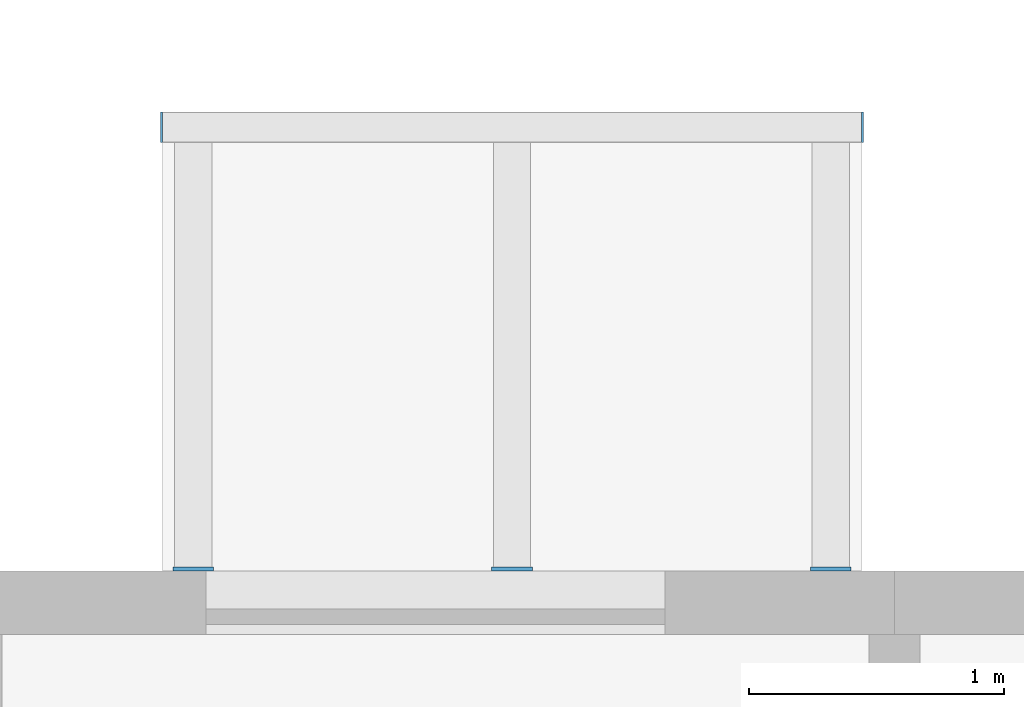
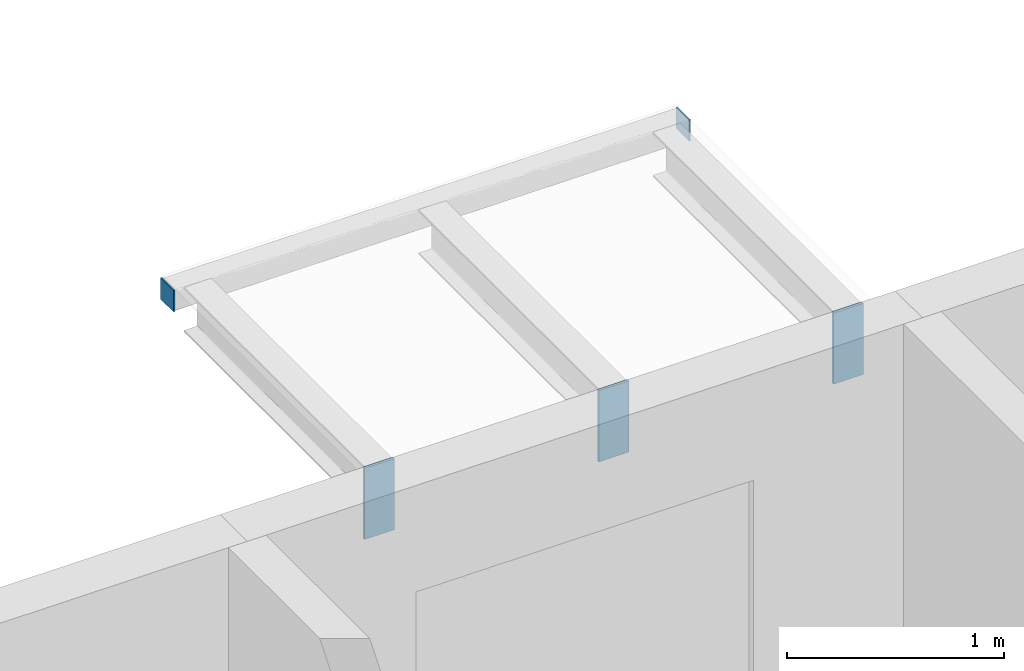
# One storey, part 66 of 94: 5 discrete accessories.
"""IFC4 building model written with IfcOpenShell, lengths in metres."""

import ifcopenshell
import ifcopenshell.guid

model = None  # the IFC model being written
_history = None  # IfcOwnerHistory: only IFC2X3 demands one
_inside = {}  # id of a spatial element -> (the spatial element, [elements in it])
_under = {}  # id of a project, library or spatial element -> (it, [spatial elements below it])
_declared = {}  # id of a project -> (the project, [libraries it declares])
_typed = {}  # id of a type object -> (the type object, [elements of that type])
_made_of = {}  # id of a material, layer set ... -> (it, [elements and type objects made of it])


def new_model(schema):
    """Start an empty IFC model of exactly this schema.

    Asked for "IFC4X3", IfcOpenShell would pick the latest addendum, in which some entities
    have other attributes; the version numbers below select the first issue.
    IFC2X3 requires an IfcOwnerHistory on every rooted entity: one is made here for all.
    """
    global model, _history
    if schema == "IFC4X3":
        model = ifcopenshell.file(schema_version=(4, 3, 0, 0))
    else:
        model = ifcopenshell.file(schema=schema)
    _inside.clear()
    _under.clear()
    _declared.clear()
    _typed.clear()
    _made_of.clear()
    _history = None
    if model.schema == "IFC2X3":
        org = make("IfcOrganization", Name="unknown")
        user = make(
            "IfcPersonAndOrganization",
            ThePerson=make("IfcPerson", FamilyName="unknown"),
            TheOrganization=org,
        )
        app = make(
            "IfcApplication",
            ApplicationDeveloper=org,
            Version="unknown",
            ApplicationFullName="unknown",
            ApplicationIdentifier="unknown",
        )
        _history = make(
            "IfcOwnerHistory",
            OwningUser=user,
            OwningApplication=app,
            ChangeAction="ADDED",
            CreationDate=0,
        )
    return model


def make(cls, **values):
    """One entity of the class cls with the attributes given. An attribute that is None is left unset."""
    return model.create_entity(
        cls, **{name: value for name, value in values.items() if value is not None}
    )


def rooted(cls, **values):
    """An entity with a GlobalId (a new one), such as an element, a storey or a relation."""
    return make(cls, GlobalId=ifcopenshell.guid.new(), OwnerHistory=_history, **values)


def si_unit(unit_type, name, prefix=None):
    """IfcSIUnit, for example si_unit("LENGTHUNIT", "METRE", prefix="MILLI")."""
    return make("IfcSIUnit", UnitType=unit_type, Prefix=prefix, Name=name)


def assignment(units):
    """IfcUnitAssignment: the units of a project."""
    return None if units is None else make("IfcUnitAssignment", Units=units)


def point(xyz):
    """IfcCartesianPoint."""
    return None if xyz is None else make("IfcCartesianPoint", Coordinates=xyz)


def direction(xyz):
    """IfcDirection."""
    return None if xyz is None else make("IfcDirection", DirectionRatios=xyz)


def frame(location, z_axis=None, x_axis=None):
    """IfcAxis2Placement3D, a coordinate frame: its origin and axes. An axis left out is left unset."""
    return make(
        "IfcAxis2Placement3D",
        Location=point(location),
        Axis=direction(z_axis),
        RefDirection=direction(x_axis),
    )


def frame_2d(location, x_axis=None):
    """IfcAxis2Placement2D, a coordinate frame in the plane: its origin and x axis."""
    return make(
        "IfcAxis2Placement2D", Location=point(location), RefDirection=direction(x_axis)
    )


def origin():
    """The frame at (0, 0, 0) with its axes left unset."""
    return frame((0.0, 0.0, 0.0))


def origin_2d():
    """The frame at (0, 0) in the plane with its x axis left unset."""
    return frame_2d((0.0, 0.0))


def place(relative_to, where):
    """IfcLocalPlacement: puts the frame where relative to a parent placement (None: the world)."""
    return make(
        "IfcLocalPlacement", PlacementRelTo=relative_to, RelativePlacement=where
    )


def context(
    kind, dimensions, precision=None, world=None, true_north=None, identifier=None
):
    """IfcGeometricRepresentationContext, for example the 3D "Model" context."""
    return make(
        "IfcGeometricRepresentationContext",
        ContextIdentifier=identifier,
        ContextType=kind,
        CoordinateSpaceDimension=dimensions,
        Precision=precision,
        WorldCoordinateSystem=world,
        TrueNorth=true_north,
    )


def subcontext(parent, identifier, kind, view, scale=None):
    """IfcGeometricRepresentationSubContext, for example "Body" below "Model"."""
    return make(
        "IfcGeometricRepresentationSubContext",
        ContextIdentifier=identifier,
        ContextType=kind,
        ParentContext=parent,
        TargetScale=scale,
        TargetView=view,
    )


def project(units=None, contexts=None):
    """IfcProject with its units and contexts."""
    return rooted(
        "IfcProject",
        Name="project",
        RepresentationContexts=contexts,
        UnitsInContext=assignment(units),
    )


def spatial(cls, under=None, at=None, **own):
    """A site, building, storey or space (cls), placed at a placement, below another one or the project."""
    s = rooted(cls, ObjectPlacement=at, **own)
    if under is not None:
        _under.setdefault(under.id(), (under, []))[1].append(s)
    return s


def profile(cls, at=None, kind="AREA", **sizes):
    """A parametric profile (cls). Its sizes go by their IFC names, for example OverallWidth=200.0."""
    return make(cls, ProfileType=kind, Position=at, **sizes)


def rectangle(**sizes):
    """IfcRectangleProfileDef."""
    return profile("IfcRectangleProfileDef", **sizes)


def extrude(swept, where, along, depth):
    """IfcExtrudedAreaSolid: the profile swept, set in the frame where, extruded along a direction by depth."""
    return make(
        "IfcExtrudedAreaSolid",
        SweptArea=swept,
        Position=where,
        ExtrudedDirection=direction(along),
        Depth=depth,
    )


def shape(context_of_items, identifier, shape_type, items):
    """IfcShapeRepresentation: the items that make up one representation, for example the "Body"."""
    return make(
        "IfcShapeRepresentation",
        ContextOfItems=context_of_items,
        RepresentationIdentifier=identifier,
        RepresentationType=shape_type,
        Items=items,
    )


def material(Name=None, Category=None):
    """IfcMaterial."""
    return make("IfcMaterial", Name=Name, Category=Category)


def layer(
    of_material, thickness, ventilated=None, Name=None, Category=None, Priority=None
):
    """IfcMaterialLayer: one layer of a wall or slab, of a material (None: an air gap)."""
    return make(
        "IfcMaterialLayer",
        Material=of_material,
        LayerThickness=thickness,
        IsVentilated=ventilated,
        Name=Name,
        Category=Category,
        Priority=Priority,
    )


def layer_set(layers, Name=None):
    """IfcMaterialLayerSet."""
    return make("IfcMaterialLayerSet", MaterialLayers=layers, LayerSetName=Name)


def made_of(thing, what):
    """Note that an element or type object is made of a material, layer set ...; save() writes the relation."""
    if what is not None:
        _made_of.setdefault(what.id(), (what, []))[1].append(thing)
    return thing


def type_object(cls, material=None, **own):
    """A type object (cls), such as IfcWallType, which elements share."""
    return made_of(rooted(cls, **own), material)


def element(
    cls,
    number,
    at=None,
    inside=None,
    cuts=None,
    type_object=None,
    material=None,
    context=None,
    identifier="Body",
    shape_type=None,
    held_by="IfcProductDefinitionShape",
    body=None,
    shapes=None,
    **own,
):
    """One element of the class cls, such as IfcWall. Its Tag is "e" and its number.

    at: its placement. inside: the storey or other place that contains it. cuts: it is an
    opening in that element (IfcRelVoidsElement). A single representation is given by context,
    identifier, shape_type and body (its items); several are given by shapes. held_by: the class
    of the entity that holds the representations. save() writes the other relations.
    """
    e = rooted(cls, Tag="e%d" % number, ObjectPlacement=at, **own)
    if body is not None:
        shapes = [shape(context, identifier, shape_type, body)]
    if shapes is not None:
        e.Representation = make(held_by, Representations=shapes)
    if inside is not None:
        _inside.setdefault(inside.id(), (inside, []))[1].append(e)
    if cuts is not None:
        rooted(
            "IfcRelVoidsElement", RelatingBuildingElement=cuts, RelatedOpeningElement=e
        )
    if type_object is not None:
        _typed.setdefault(type_object.id(), (type_object, []))[1].append(e)
    return made_of(e, material)


def aggregate(whole, parts):
    """IfcRelAggregates: a whole, such as a stair, and the parts it consists of."""
    return rooted("IfcRelAggregates", RelatingObject=whole, RelatedObjects=parts)


def save(model, path):
    """Write the relations noted so far, then the file.

    IfcRelAggregates (storeys below a building ...), IfcRelContainedInSpatialStructure (elements
    in a storey), IfcRelDefinesByType, IfcRelAssociatesMaterial and IfcRelDeclares: one each for
    every whole, place, type object, material and project.
    """
    for whole, parts in _under.values():
        aggregate(whole, parts)
    for where, things in _inside.values():
        rooted(
            "IfcRelContainedInSpatialStructure",
            RelatedElements=things,
            RelatingStructure=where,
        )
    for kind, things in _typed.values():
        rooted("IfcRelDefinesByType", RelatedObjects=things, RelatingType=kind)
    for what, things in _made_of.values():
        rooted("IfcRelAssociatesMaterial", RelatedObjects=things, RelatingMaterial=what)
    for by, libraries in _declared.values():
        rooted("IfcRelDeclares", RelatingContext=by, RelatedDefinitions=libraries)
    model.write(path)


model = new_model("IFC4")

# Units and contexts
model_context = context("Model", 3, precision=1e-05, world=origin(), true_north=direction((0.0, 1.0)))
body_context = subcontext(model_context, "Body", "Model", "MODEL_VIEW")
ifc_project = project(units=[si_unit("LENGTHUNIT", "METRE"), si_unit("AREAUNIT", "SQUARE_METRE"), si_unit("VOLUMEUNIT", "CUBIC_METRE"), si_unit("PLANEANGLEUNIT", "RADIAN"), si_unit("MASSUNIT", "GRAM", prefix="KILO")], contexts=[model_context])

# Site, building, storey
site_placement = place(None, origin())
site = spatial("IfcSite", under=ifc_project, at=site_placement, CompositionType="ELEMENT")
building_placement = place(site_placement, origin())
building = spatial("IfcBuilding", under=site, at=building_placement, Name="Ridgestep Commons", CompositionType="ELEMENT")
storey_placement = place(building_placement, frame((0.0, 0.0, 21.0)))
storey = spatial("IfcBuildingStorey", under=building, at=storey_placement, Name="L07", CompositionType="ELEMENT", Elevation=21.0)

# Discrete accessories
ifc_material_1 = material(Name="Weathering steel S355J2W", Category="steel")
ifc_layer_1 = layer(ifc_material_1, 0.014892578125)
ifc_layer_set_1 = layer_set([ifc_layer_1], Name="Tray bracket plate 15")
discrete_accessory_type_1 = type_object("IfcDiscreteAccessoryType", Name="Tray bracket plate 15", PredefinedType="BRACKET", material=ifc_layer_set_1)
for number, where, z_axis, x_axis, name in (
    (1, (174.050048828125, 23.007568359375, 2.588623046875), (0.0, 0.0, 1.0), (1.0, 0.0, 0.0), "Tray bracket D2T2-08.1"),
    (2, (175.300048828125, 23.007568359375, 2.588623046875), (0.0, 0.0, 1.0), (1.0, 0.0, 0.0), "Tray bracket D2T2-08.2"),
    (3, (176.550048828125, 23.007568359375, 2.588623046875), (0.0, 0.0, 1.0), (1.0, 0.0, 0.0), "Tray bracket D2T2-08.3"),
):
    element("IfcDiscreteAccessory", number, at=place(storey_placement, frame(where, z_axis=z_axis, x_axis=x_axis)), inside=storey, type_object=discrete_accessory_type_1, Name=name, PredefinedType="BRACKET", context=body_context, shape_type="SweptSolid", body=[
        extrude(rectangle(XDim=0.159912109375, YDim=0.014892578125, at=origin_2d()), origin(), (0.0, 0.0, 1.0), 0.4013671875),
    ])
ifc_material_2 = material(Name="Weathering steel S355J2W", Category="steel")
ifc_layer_2 = layer(ifc_material_2, 0.008056640625)
ifc_layer_set_2 = layer_set([ifc_layer_2], Name="Tray edge member end plate 120 x 120 x 8")
discrete_accessory_type_2 = type_object("IfcDiscreteAccessoryType", Name="Tray edge member end plate 120 x 120 x 8", PredefinedType="BRACKET", material=ifc_layer_set_2)
for number, where, z_axis, x_axis, name in (
    (4, (173.926025390625, 24.739990234375, 2.869873046875), (0.0, 0.0, 1.0), (1.0, 0.0, 0.0), "Tray edge member end plate D2T2-08 west"),
    (5, (176.674072265625, 24.739990234375, 2.869873046875), (0.0, 0.0, 1.0), (1.0, 0.0, 0.0), "Tray edge member end plate D2T2-08 east"),
):
    element("IfcDiscreteAccessory", number, at=place(storey_placement, frame(where, z_axis=z_axis, x_axis=x_axis)), inside=storey, type_object=discrete_accessory_type_2, Name=name, PredefinedType="BRACKET", context=body_context, shape_type="SweptSolid", body=[
        extrude(rectangle(XDim=0.008056640625, YDim=0.1201171875, at=origin_2d()), origin(), (0.0, 0.0, 1.0), 0.1201171875),
    ])

save(model, "model.ifc")
